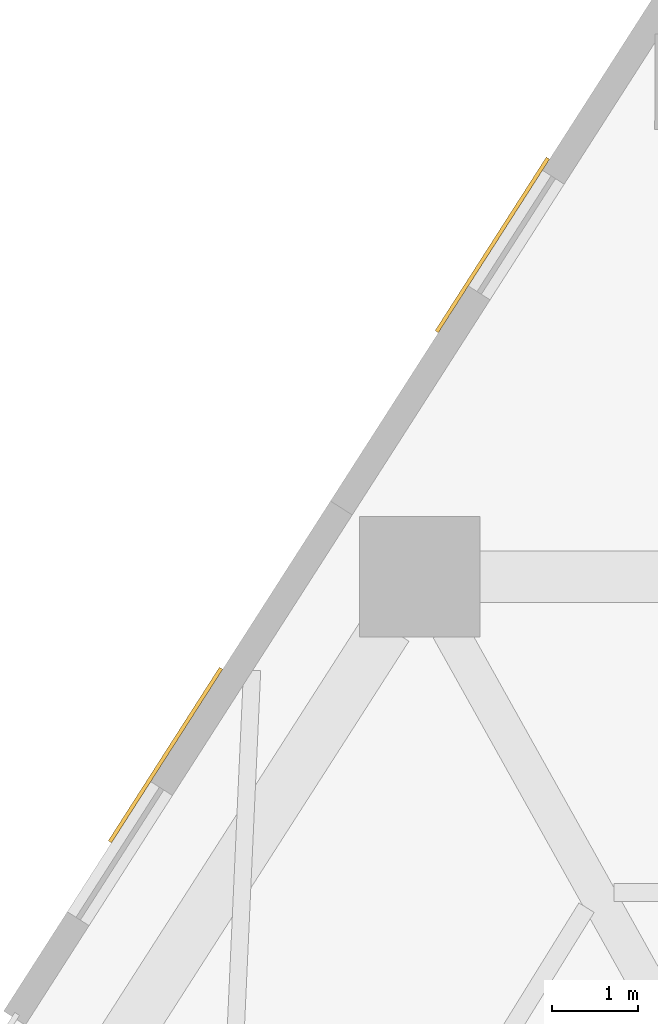
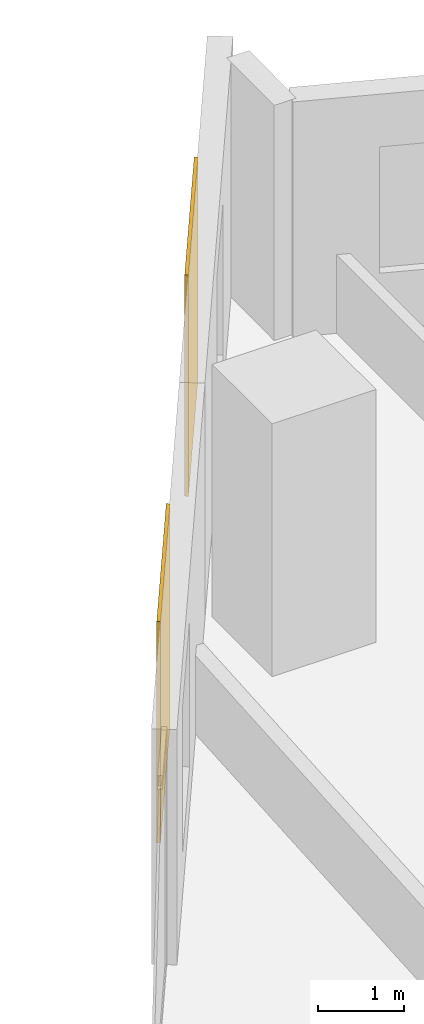
# One storey, part 12 of 12: 2 coverings.
"""IFC4 building model written with IfcOpenShell, lengths in metres."""

from ifc_helpers import new_model, si_unit, direction, frame, origin, origin_2d, place, context, subcontext, project, spatial, rectangle, extrude, material, layer, layer_set, type_object, element, save


model = new_model("IFC4")

# Units and contexts
model_context = context("Model", 3, precision=1e-05, world=origin(), true_north=direction((0.0, 1.0)))
body_context = subcontext(model_context, "Body", "Model", "MODEL_VIEW")
ifc_project = project(units=[si_unit("LENGTHUNIT", "METRE"), si_unit("AREAUNIT", "SQUARE_METRE"), si_unit("VOLUMEUNIT", "CUBIC_METRE"), si_unit("PLANEANGLEUNIT", "RADIAN"), si_unit("MASSUNIT", "GRAM", prefix="KILO")], contexts=[model_context])

# Site, building, storey
site_placement = place(None, origin())
site = spatial("IfcSite", under=ifc_project, at=site_placement, CompositionType="ELEMENT")
building_placement = place(site_placement, origin())
building = spatial("IfcBuilding", under=site, at=building_placement, Name="Almagre Mirador Tower", CompositionType="ELEMENT")
storey_placement = place(building_placement, frame((0.0, 0.0, 71.39990234375)))
storey = spatial("IfcBuildingStorey", under=building, at=storey_placement, Name="L17", CompositionType="ELEMENT", Elevation=71.39990234375)

# Coverings
ifc_material = material(Name="Almagre terracotta architectural cladding", Category="masonry")
ifc_layer = layer(ifc_material, 0.044921875)
ifc_layer_set = layer_set([ifc_layer], Name="Almagre terracotta architectural cladding")
covering_type = type_object("IfcCoveringType", Name="COV-CLAD-ALMAGRE", PredefinedType="CLADDING", material=ifc_layer_set)
for number, where, z_axis, x_axis, name in (
    (1, (27.639892578125, 36.2041015625, 0.10009765625), (0.0, 0.0, 1.0), (0.539520453445, 0.841972493799, 0.0), "L17 almagre terracotta pier cladding"),
    (2, (31.4462890625, 42.144775390625, 0.10009765625), (0.0, 0.0, 1.0), (0.539520453445, 0.841972493799, 0.0), "L17 almagre terracotta pier cladding"),
):
    element("IfcCovering", number, at=place(storey_placement, frame(where, z_axis=z_axis, x_axis=x_axis)), inside=storey, type_object=covering_type, Name=name, PredefinedType="CLADDING", context=body_context, shape_type="SweptSolid", body=[
        extrude(rectangle(XDim=2.39990234375, YDim=0.044921875, at=origin_2d()), origin(), (0.0, 0.0, 1.0), 3.14990234375),
    ])

save(model, "model.ifc")
